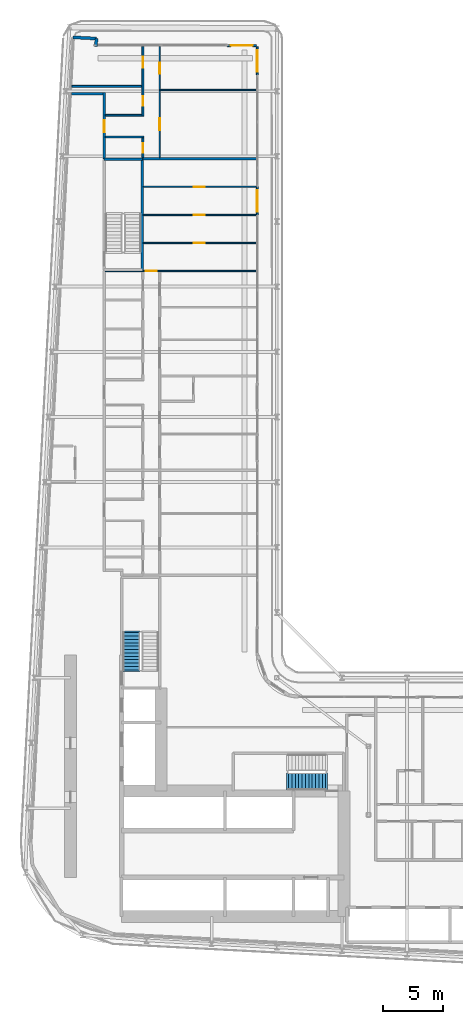
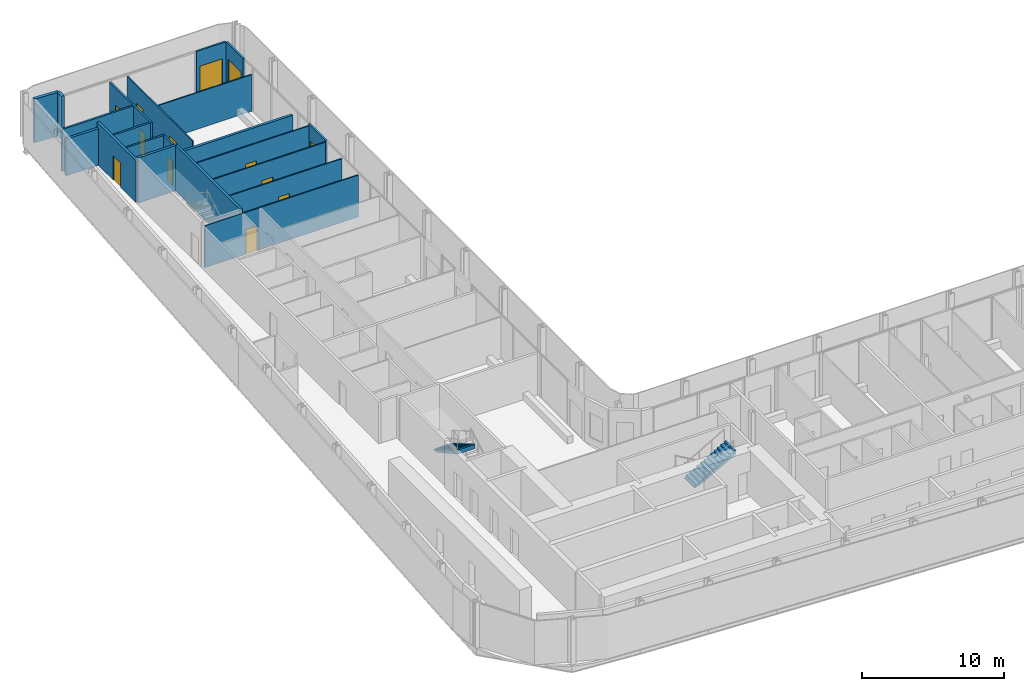
# One storey, part 16 of 24: 21 walls, 13 doors, 2 stair flights, 13 openings, 2 elements without a shape of their own.
"""IFC4 building model written with IfcOpenShell, lengths in metres."""

from ifc_helpers import new_model, si_unit, direction, frame, frame_2d, origin, place, context, subcontext, project, spatial, polyline, rectangle, outline, extrude, source, transform, mapped, material, layer, layer_set, type_object, element, fill, aggregate, save


model = new_model("IFC4")

# Units and contexts
model_context = context("Model", 3, precision=1e-05, world=origin(), true_north=direction((0.0, 1.0)))
body_context = subcontext(model_context, "Body", "Model", "MODEL_VIEW")
ifc_project = project(units=[si_unit("LENGTHUNIT", "METRE"), si_unit("AREAUNIT", "SQUARE_METRE"), si_unit("VOLUMEUNIT", "CUBIC_METRE"), si_unit("PLANEANGLEUNIT", "RADIAN"), si_unit("MASSUNIT", "GRAM", prefix="KILO")], contexts=[model_context])

# Site, building, storey
site_placement = place(None, origin())
site = spatial("IfcSite", under=ifc_project, at=site_placement, CompositionType="ELEMENT")
building_placement = place(site_placement, origin())
building = spatial("IfcBuilding", under=site, at=building_placement, Name="Kheshtan School and Residences Tower", CompositionType="ELEMENT")
storey_placement = place(building_placement, frame((0.0, 0.0, 38.300048828125)))
storey = spatial("IfcBuildingStorey", under=building, at=storey_placement, Name="L08", CompositionType="ELEMENT", Elevation=38.300048828125)

# Wall
ifc_material_1 = material(Name="Gypsum board on steel studs with fire boards", Category="steel")
ifc_layer_1 = layer(ifc_material_1, 0.199951171875)
ifc_layer_set_1 = layer_set([ifc_layer_1], Name="Corridor wall 200")
wall_type_1 = type_object("IfcWallType", Name="Corridor wall 200", PredefinedType="PARTITIONING", material=ifc_layer_set_1)
wall_1_placement = place(storey_placement, frame((30.584716796875, 94.0, 0.0), z_axis=(0.0, 0.0, 1.0), x_axis=(1.0, 0.0, 0.0)))
element("IfcWall", 1, at=wall_1_placement, inside=storey, type_object=wall_type_1, Name="Partition L08-002", PredefinedType="PARTITIONING", context=body_context, shape_type="SweptSolid", body=[
    extrude(rectangle(XDim=2.615234375, YDim=0.199951171875, at=frame_2d((1.3076171875, 0.0))), origin(), (0.0, 0.0, 1.0), 3.14697265625),
])

# Wall, opening, door
wall_2_placement = place(storey_placement, frame((33.300048828125, 88.60009765625, 0.0), z_axis=(0.0, 0.0, 1.0), x_axis=(0.0, 1.0, 0.0)))
wall_2 = element("IfcWall", 2, at=wall_2_placement, inside=storey, type_object=wall_type_1, Name="Partition L08-004", PredefinedType="PARTITIONING", context=body_context, shape_type="SweptSolid", body=[
    extrude(rectangle(XDim=5.5, YDim=0.199951171875, at=frame_2d((2.75, 0.0))), origin(), (0.0, 0.0, 1.0), 3.599853515625),
])
opening_1_placement = place(wall_2_placement, frame((2.199951171875, 0.0, 0.0)))
opening_1 = element("IfcOpeningElement", 3, at=opening_1_placement, cuts=wall_2, Name="Opening D08-052", PredefinedType="OPENING", context=body_context, shape_type="SweptSolid", body=[
    extrude(rectangle(XDim=1.0, YDim=2.10009765625, at=frame_2d((0.5, 1.050048828125))), frame((0.0, 0.10986328125, 0.0), z_axis=(0.0, -1.0, 0.0), x_axis=(1.0, 0.0, 0.0)), (0.0, 0.0, 1.0), 0.219970703125),
])
ifc_material_2 = material(Name="Steel-framed fire-resisting door leaf", Category="steel")
door_type_1 = type_object("IfcDoorType", Name="Fire door FD30S 1000 x 2100", OperationType="SINGLE_SWING_LEFT", PredefinedType="DOOR", material=ifc_material_2)
shared_shape_1 = source(origin(), body_context, "Body", "SweptSolid", [
    extrude(rectangle(XDim=1.0, YDim=2.10009765625, at=frame_2d((0.5, 1.050048828125))), frame((0.0, 0.02490234375, 0.0), z_axis=(0.0, -1.0, 0.0), x_axis=(1.0, 0.0, 0.0)), (0.0, 0.0, 1.0), 0.050048828125),
])
door_1_placement = place(opening_1_placement, origin())
door_1 = element("IfcDoor", 4, at=door_1_placement, inside=storey, type_object=door_type_1, Name="Door D08-052", OperationType="SINGLE_SWING_LEFT", OverallHeight=2.10009765625, OverallWidth=1.0, PredefinedType="DOOR", context=body_context, shape_type="MappedRepresentation", body=[
    mapped(shared_shape_1, transform((0.0, 0.0, 0.0), x_axis=(1.0, 0.0, 0.0), y_axis=(0.0, 1.0, 0.0), z_axis=(0.0, 0.0, 1.0), scale=1.0)),
])
fill(opening_1, door_1)

# Walls
ifc_material_3 = material(Name="Concrete C40/50 with ceramic cladding and mineral wool insulation", Category="concrete")
ifc_layer_2 = layer(ifc_material_3, 0.25)
ifc_layer_set_2 = layer_set([ifc_layer_2], Name="External wall 250 ceramic clad")
wall_type_2 = type_object("IfcWallType", Name="External wall 250 ceramic clad", PredefinedType="SOLIDWALL", material=ifc_layer_set_2)
wall_3_placement = place(storey_placement, frame((30.705078125, 98.6640625, 0.0), z_axis=(0.0, 0.0, 1.0), x_axis=(0.998577785791, -0.053314216913, 0.0)))
element("IfcWall", 5, at=wall_3_placement, inside=storey, type_object=wall_type_2, Name="External wall L08 5", PredefinedType="SOLIDWALL", context=body_context, shape_type="SweptSolid", body=[
    extrude(rectangle(XDim=1.95068359375, YDim=0.25, at=frame_2d((0.975341796875, 0.0))), origin(), (0.0, 0.0, 1.0), 3.75),
])
wall_4_placement = place(storey_placement, frame((32.653076171875, 98.56005859375, 0.0), z_axis=(0.0, 0.0, 1.0), x_axis=(-0.054093451632, -0.998535877418, 0.0)))
element("IfcWall", 6, at=wall_4_placement, inside=storey, type_object=wall_type_2, Name="External wall L08 6", PredefinedType="SOLIDWALL", context=body_context, shape_type="SweptSolid", body=[
    extrude(rectangle(XDim=0.66796875, YDim=0.25, at=frame_2d((0.333984375, 0.0))), origin(), (0.0, 0.0, 1.0), 3.75),
])

# Wall, opening, door
ifc_material_4 = material(Name="Aluminium frame wall with insulated infill", Category="aluminium")
ifc_layer_3 = layer(ifc_material_4, 0.14990234375)
ifc_layer_set_3 = layer_set([ifc_layer_3], Name="Glazing frame wall 150")
wall_type_3 = type_object("IfcWallType", Name="Glazing frame wall 150", PredefinedType="SOLIDWALL", material=ifc_layer_set_3)
wall_5_placement = place(storey_placement, frame((43.5, 97.97509765625, 0.0), z_axis=(0.0, 0.0, 1.0), x_axis=(1.0, 0.0, 0.0)))
wall_5 = element("IfcWall", 7, at=wall_5_placement, inside=storey, type_object=wall_type_3, Name="Balcony door wall L08 7.1", PredefinedType="SOLIDWALL", context=body_context, shape_type="SweptSolid", body=[
    extrude(rectangle(XDim=2.39990234375, YDim=0.14990234375, at=frame_2d((1.199951171875, 0.0))), origin(), (0.0, 0.0, 1.0), 3.75),
])
opening_2_placement = place(wall_5_placement, frame((0.300048828125, 0.0, 0.0)))
opening_2 = element("IfcOpeningElement", 8, at=opening_2_placement, cuts=wall_5, Name="Opening BD", PredefinedType="OPENING", context=body_context, shape_type="SweptSolid", body=[
    extrude(rectangle(XDim=1.800048828125, YDim=2.39990234375, at=frame_2d((0.89990234375, 1.199951171875))), frame((0.0, 0.0849609375, 0.0), z_axis=(0.0, -1.0, 0.0), x_axis=(1.0, 0.0, 0.0)), (0.0, 0.0, 1.0), 0.169921875),
])
ifc_material_5 = material(Name="Clear low-e glass in thermally broken aluminium frame", Category="aluminium")
door_type_2 = type_object("IfcDoorType", Name="Balcony sliding door", OperationType="SLIDING_TO_LEFT", PredefinedType="DOOR", material=ifc_material_5)
shared_shape_2 = source(origin(), body_context, "Body", "SweptSolid", [
    extrude(rectangle(XDim=1.800048828125, YDim=2.39990234375, at=frame_2d((0.89990234375, 1.199951171875))), frame((0.0, 0.02490234375, 0.0), z_axis=(0.0, -1.0, 0.0), x_axis=(1.0, 0.0, 0.0)), (0.0, 0.0, 1.0), 0.050048828125),
])
door_2_placement = place(opening_2_placement, origin())
door_2 = element("IfcDoor", 9, at=door_2_placement, inside=storey, type_object=door_type_2, Name="Balcony door L08 7.1", OperationType="SLIDING_TO_LEFT", OverallHeight=2.39990234375, OverallWidth=1.800048828125, PredefinedType="DOOR", context=body_context, shape_type="MappedRepresentation", body=[
    mapped(shared_shape_2, transform((0.0, 0.0, 0.0), x_axis=(1.0, 0.0, 0.0), y_axis=(0.0, 1.0, 0.0), z_axis=(0.0, 0.0, 1.0), scale=1.0)),
])
fill(opening_2, door_2)

wall_6_placement = place(storey_placement, frame((45.97509765625, 97.89990234375, 0.0), z_axis=(0.0, 0.0, 1.0), x_axis=(0.0, -1.0, 0.0)))
wall_6 = element("IfcWall", 10, at=wall_6_placement, inside=storey, type_object=wall_type_3, Name="Balcony door wall L08 8.1", PredefinedType="SOLIDWALL", context=body_context, shape_type="SweptSolid", body=[
    extrude(rectangle(XDim=2.39990234375, YDim=0.14990234375, at=frame_2d((1.199951171875, 0.0))), origin(), (0.0, 0.0, 1.0), 3.75),
])
opening_3_placement = place(wall_6_placement, frame((0.300048828125, 0.0, 0.0)))
opening_3 = element("IfcOpeningElement", 11, at=opening_3_placement, cuts=wall_6, Name="Opening BD", PredefinedType="OPENING", context=body_context, shape_type="SweptSolid", body=[
    extrude(rectangle(XDim=1.800048828125, YDim=2.39990234375, at=frame_2d((0.89990234375, 1.199951171875))), frame((0.0, 0.0849609375, 0.0), z_axis=(0.0, -1.0, 0.0), x_axis=(1.0, 0.0, 0.0)), (0.0, 0.0, 1.0), 0.169921875),
])
door_3_placement = place(opening_3_placement, origin())
door_3 = element("IfcDoor", 12, at=door_3_placement, inside=storey, type_object=door_type_2, Name="Balcony door L08 8.1", OperationType="SLIDING_TO_LEFT", OverallHeight=2.39990234375, OverallWidth=1.800048828125, PredefinedType="DOOR", context=body_context, shape_type="MappedRepresentation", body=[
    mapped(shared_shape_2, transform((0.0, 0.0, 0.0), x_axis=(1.0, 0.0, 0.0), y_axis=(0.0, 1.0, 0.0), z_axis=(0.0, 0.0, 1.0), scale=1.0)),
])
fill(opening_3, door_3)

wall_7_placement = place(storey_placement, frame((45.97509765625, 86.305908203125, 0.0), z_axis=(0.0, 0.0, 1.0), x_axis=(0.0, -1.0, 0.0)))
wall_7 = element("IfcWall", 13, at=wall_7_placement, inside=storey, type_object=wall_type_3, Name="Balcony door wall L08 8.2", PredefinedType="SOLIDWALL", context=body_context, shape_type="SweptSolid", body=[
    extrude(rectangle(XDim=2.39990234375, YDim=0.14990234375, at=frame_2d((1.199951171875, 0.0))), origin(), (0.0, 0.0, 1.0), 3.75),
])
opening_4_placement = place(wall_7_placement, frame((0.300048828125, 0.0, 0.0)))
opening_4 = element("IfcOpeningElement", 14, at=opening_4_placement, cuts=wall_7, Name="Opening BD", PredefinedType="OPENING", context=body_context, shape_type="SweptSolid", body=[
    extrude(rectangle(XDim=1.800048828125, YDim=2.39990234375, at=frame_2d((0.89990234375, 1.199951171875))), frame((0.0, 0.0849609375, 0.0), z_axis=(0.0, -1.0, 0.0), x_axis=(1.0, 0.0, 0.0)), (0.0, 0.0, 1.0), 0.169921875),
])
door_4_placement = place(opening_4_placement, origin())
door_4 = element("IfcDoor", 15, at=door_4_placement, inside=storey, type_object=door_type_2, Name="Balcony door L08 8.2", OperationType="SLIDING_TO_LEFT", OverallHeight=2.39990234375, OverallWidth=1.800048828125, PredefinedType="DOOR", context=body_context, shape_type="MappedRepresentation", body=[
    mapped(shared_shape_2, transform((0.0, 0.0, 0.0), x_axis=(1.0, 0.0, 0.0), y_axis=(0.0, 1.0, 0.0), z_axis=(0.0, 0.0, 1.0), scale=1.0)),
])
fill(opening_4, door_4)

ifc_material_6 = material(Name="Gypsum board on steel studs", Category="steel")
ifc_layer_4 = layer(ifc_material_6, 0.10009765625)
ifc_layer_set_4 = layer_set([ifc_layer_4], Name="Gypsum partition 100")
wall_type_4 = type_object("IfcWallType", Name="Gypsum partition 100", PredefinedType="PARTITIONING", material=ifc_layer_set_4)
wall_8_placement = place(storey_placement, frame((33.39990234375, 79.300048828125, 0.0), z_axis=(0.0, 0.0, 1.0), x_axis=(1.0, 0.0, 0.0)))
wall_8 = element("IfcWall", 16, at=wall_8_placement, inside=storey, type_object=wall_type_4, Name="Partition L08-016", PredefinedType="PARTITIONING", context=body_context, shape_type="SweptSolid", body=[
    extrude(rectangle(XDim=12.5, YDim=0.10009765625, at=frame_2d((6.25, 0.0))), origin(), (0.0, 0.0, 1.0), 3.599853515625),
])
opening_5_placement = place(wall_8_placement, frame((3.35498046875, 0.0, 0.0)))
opening_5 = element("IfcOpeningElement", 17, at=opening_5_placement, cuts=wall_8, Name="Opening D08-046", PredefinedType="OPENING", context=body_context, shape_type="SweptSolid", body=[
    extrude(rectangle(XDim=0.89990234375, YDim=2.10009765625, at=frame_2d((0.449951171875, 1.050048828125))), frame((0.0, 0.06005859375, 0.0), z_axis=(0.0, -1.0, 0.0), x_axis=(1.0, 0.0, 0.0)), (0.0, 0.0, 1.0), 0.1201171875),
])
ifc_material_7 = material(Name="Veneered timber door leaf", Category="wood")
door_type_3 = type_object("IfcDoorType", Name="Door 900 x 2100", OperationType="SINGLE_SWING_LEFT", PredefinedType="DOOR", material=ifc_material_7)
shared_shape_3 = source(origin(), body_context, "Body", "SweptSolid", [
    extrude(rectangle(XDim=0.89990234375, YDim=2.10009765625, at=frame_2d((0.449951171875, 1.050048828125))), frame((0.0, 0.02490234375, 0.0), z_axis=(0.0, -1.0, 0.0), x_axis=(1.0, 0.0, 0.0)), (0.0, 0.0, 1.0), 0.050048828125),
])
door_5_placement = place(opening_5_placement, origin())
door_5 = element("IfcDoor", 18, at=door_5_placement, inside=storey, type_object=door_type_3, Name="Door D08-046", OperationType="SINGLE_SWING_LEFT", OverallHeight=2.10009765625, OverallWidth=0.89990234375, PredefinedType="DOOR", context=body_context, shape_type="MappedRepresentation", body=[
    mapped(shared_shape_3, transform((0.0, 0.0, 0.0), x_axis=(1.0, 0.0, 0.0), y_axis=(0.0, 1.0, 0.0), z_axis=(0.0, 0.0, 1.0), scale=1.0)),
])
fill(opening_5, door_5)

wall_9_placement = place(storey_placement, frame((36.549072265625, 81.625, 0.0), z_axis=(0.0, 0.0, 1.0), x_axis=(1.0, 0.0, 0.0)))
wall_9 = element("IfcWall", 19, at=wall_9_placement, inside=storey, type_object=wall_type_4, Name="Partition L08-029", PredefinedType="PARTITIONING", context=body_context, shape_type="SweptSolid", body=[
    extrude(rectangle(XDim=9.350830078125, YDim=0.10009765625, at=frame_2d((4.67529296875, 0.0))), origin(), (0.0, 0.0, 1.0), 3.599853515625),
])
opening_6_placement = place(wall_9_placement, frame((4.176025390625, 0.0, 0.0)))
opening_6 = element("IfcOpeningElement", 20, at=opening_6_placement, cuts=wall_9, Name="Opening D08-047", PredefinedType="OPENING", context=body_context, shape_type="SweptSolid", body=[
    extrude(rectangle(XDim=0.89990234375, YDim=2.10009765625, at=frame_2d((0.449951171875, 1.050048828125))), frame((0.0, 0.06005859375, 0.0), z_axis=(0.0, -1.0, 0.0), x_axis=(1.0, 0.0, 0.0)), (0.0, 0.0, 1.0), 0.1201171875),
])
door_6_placement = place(opening_6_placement, origin())
door_6 = element("IfcDoor", 21, at=door_6_placement, inside=storey, type_object=door_type_3, Name="Door D08-047", OperationType="SINGLE_SWING_RIGHT", OverallHeight=2.10009765625, OverallWidth=0.89990234375, PredefinedType="DOOR", context=body_context, shape_type="MappedRepresentation", body=[
    mapped(shared_shape_3, transform((0.0, 0.0, 0.0), x_axis=(1.0, 0.0, 0.0), y_axis=(0.0, 1.0, 0.0), z_axis=(0.0, 0.0, 1.0), scale=1.0)),
])
fill(opening_6, door_6)

wall_10_placement = place(storey_placement, frame((36.549072265625, 83.949951171875, 0.0), z_axis=(0.0, 0.0, 1.0), x_axis=(1.0, 0.0, 0.0)))
wall_10 = element("IfcWall", 22, at=wall_10_placement, inside=storey, type_object=wall_type_4, Name="Partition L08-030", PredefinedType="PARTITIONING", context=body_context, shape_type="SweptSolid", body=[
    extrude(rectangle(XDim=9.350830078125, YDim=0.10009765625, at=frame_2d((4.67529296875, 0.0))), origin(), (0.0, 0.0, 1.0), 3.599853515625),
])
opening_7_placement = place(wall_10_placement, frame((4.176025390625, 0.0, 0.0)))
opening_7 = element("IfcOpeningElement", 23, at=opening_7_placement, cuts=wall_10, Name="Opening D08-048", PredefinedType="OPENING", context=body_context, shape_type="SweptSolid", body=[
    extrude(rectangle(XDim=0.89990234375, YDim=2.10009765625, at=frame_2d((0.449951171875, 1.050048828125))), frame((0.0, 0.06005859375, 0.0), z_axis=(0.0, -1.0, 0.0), x_axis=(1.0, 0.0, 0.0)), (0.0, 0.0, 1.0), 0.1201171875),
])
door_7_placement = place(opening_7_placement, origin())
door_7 = element("IfcDoor", 24, at=door_7_placement, inside=storey, type_object=door_type_3, Name="Door D08-048", OperationType="SINGLE_SWING_RIGHT", OverallHeight=2.10009765625, OverallWidth=0.89990234375, PredefinedType="DOOR", context=body_context, shape_type="MappedRepresentation", body=[
    mapped(shared_shape_3, transform((0.0, 0.0, 0.0), x_axis=(1.0, 0.0, 0.0), y_axis=(0.0, 1.0, 0.0), z_axis=(0.0, 0.0, 1.0), scale=1.0)),
])
fill(opening_7, door_7)

wall_11_placement = place(storey_placement, frame((36.549072265625, 86.27490234375, 0.0), z_axis=(0.0, 0.0, 1.0), x_axis=(1.0, 0.0, 0.0)))
wall_11 = element("IfcWall", 25, at=wall_11_placement, inside=storey, type_object=wall_type_4, Name="Partition L08-031", PredefinedType="PARTITIONING", context=body_context, shape_type="SweptSolid", body=[
    extrude(rectangle(XDim=9.350830078125, YDim=0.10009765625, at=frame_2d((4.67529296875, 0.0))), origin(), (0.0, 0.0, 1.0), 3.599853515625),
])
opening_8_placement = place(wall_11_placement, frame((4.176025390625, 0.0, 0.0)))
opening_8 = element("IfcOpeningElement", 26, at=opening_8_placement, cuts=wall_11, Name="Opening D08-049", PredefinedType="OPENING", context=body_context, shape_type="SweptSolid", body=[
    extrude(rectangle(XDim=0.89990234375, YDim=2.10009765625, at=frame_2d((0.449951171875, 1.050048828125))), frame((0.0, 0.06005859375, 0.0), z_axis=(0.0, -1.0, 0.0), x_axis=(1.0, 0.0, 0.0)), (0.0, 0.0, 1.0), 0.1201171875),
])
door_8_placement = place(opening_8_placement, origin())
door_8 = element("IfcDoor", 27, at=door_8_placement, inside=storey, type_object=door_type_3, Name="Door D08-049", OperationType="SINGLE_SWING_RIGHT", OverallHeight=2.10009765625, OverallWidth=0.89990234375, PredefinedType="DOOR", context=body_context, shape_type="MappedRepresentation", body=[
    mapped(shared_shape_3, transform((0.0, 0.0, 0.0), x_axis=(1.0, 0.0, 0.0), y_axis=(0.0, 1.0, 0.0), z_axis=(0.0, 0.0, 1.0), scale=1.0)),
])
fill(opening_8, door_8)

# Wall, openings, doors
wall_12_placement = place(storey_placement, frame((37.89990234375, 88.699951171875, 0.0), z_axis=(0.0, 0.0, 1.0), x_axis=(0.0, 1.0, 0.0)))
wall_12 = element("IfcWall", 28, at=wall_12_placement, inside=storey, type_object=wall_type_4, Name="Partition L08-034", PredefinedType="PARTITIONING", context=body_context, shape_type="SweptSolid", body=[
    extrude(rectangle(XDim=9.199951171875, YDim=0.10009765625, at=frame_2d((4.60009765625, 0.0))), origin(), (0.0, 0.0, 1.0), 3.599853515625),
])
opening_9_placement = place(wall_12_placement, frame((6.949951171875, 0.0, 0.0)))
opening_9 = element("IfcOpeningElement", 29, at=opening_9_placement, cuts=wall_12, Name="Opening D08-051", PredefinedType="OPENING", context=body_context, shape_type="SweptSolid", body=[
    extrude(rectangle(XDim=0.89990234375, YDim=2.10009765625, at=frame_2d((0.449951171875, 1.050048828125))), frame((0.0, 0.06005859375, 0.0), z_axis=(0.0, -1.0, 0.0), x_axis=(1.0, 0.0, 0.0)), (0.0, 0.0, 1.0), 0.1201171875),
])
opening_10_placement = place(wall_12_placement, frame((2.25, 0.0, 0.0)))
opening_10 = element("IfcOpeningElement", 30, at=opening_10_placement, cuts=wall_12, Name="Opening D08-054", PredefinedType="OPENING", context=body_context, shape_type="SweptSolid", body=[
    extrude(rectangle(XDim=1.0, YDim=2.10009765625, at=frame_2d((0.5, 1.050048828125))), frame((0.0, 0.06005859375, 0.0), z_axis=(0.0, -1.0, 0.0), x_axis=(1.0, 0.0, 0.0)), (0.0, 0.0, 1.0), 0.1201171875),
])
door_type_4 = type_object("IfcDoorType", Name="Door 1000 x 2100", OperationType="SINGLE_SWING_LEFT", PredefinedType="DOOR", material=ifc_material_7)
shared_shape_4 = source(origin(), body_context, "Body", "SweptSolid", [
    extrude(rectangle(XDim=1.0, YDim=2.10009765625, at=frame_2d((0.5, 1.050048828125))), frame((0.0, 0.02490234375, 0.0), z_axis=(0.0, -1.0, 0.0), x_axis=(1.0, 0.0, 0.0)), (0.0, 0.0, 1.0), 0.050048828125),
])
door_9_placement = place(opening_10_placement, origin())
door_9 = element("IfcDoor", 31, at=door_9_placement, inside=storey, type_object=door_type_4, Name="Door D08-054", OperationType="SINGLE_SWING_RIGHT", OverallHeight=2.10009765625, OverallWidth=1.0, PredefinedType="DOOR", context=body_context, shape_type="MappedRepresentation", body=[
    mapped(shared_shape_4, transform((0.0, 0.0, 0.0), x_axis=(1.0, 0.0, 0.0), y_axis=(0.0, 1.0, 0.0), z_axis=(0.0, 0.0, 1.0), scale=1.0)),
])
fill(opening_10, door_9)
door_10_placement = place(opening_9_placement, origin())
door_10 = element("IfcDoor", 32, at=door_10_placement, inside=storey, type_object=door_type_3, Name="Door D08-051", OperationType="SINGLE_SWING_RIGHT", OverallHeight=2.10009765625, OverallWidth=0.89990234375, PredefinedType="DOOR", context=body_context, shape_type="MappedRepresentation", body=[
    mapped(shared_shape_3, transform((0.0, 0.0, 0.0), x_axis=(1.0, 0.0, 0.0), y_axis=(0.0, 1.0, 0.0), z_axis=(0.0, 0.0, 1.0), scale=1.0)),
])
fill(opening_9, door_10)

# Walls
wall_13_placement = place(storey_placement, frame((37.949951171875, 94.300048828125, 0.0), z_axis=(0.0, 0.0, 1.0), x_axis=(1.0, 0.0, 0.0)))
element("IfcWall", 33, at=wall_13_placement, inside=storey, type_object=wall_type_4, Name="Partition L08-035", PredefinedType="PARTITIONING", context=body_context, shape_type="SweptSolid", body=[
    extrude(rectangle(XDim=7.949951171875, YDim=0.10009765625, at=frame_2d((3.97509765625, 0.0))), origin(), (0.0, 0.0, 1.0), 3.14697265625),
])
ifc_material_8 = material(Name="Concrete C40/50", Category="concrete")
ifc_layer_5 = layer(ifc_material_8, 0.199951171875)
ifc_layer_set_5 = layer_set([ifc_layer_5], Name="Stair enclosure wall 200 Concrete C40/50")
wall_type_5 = type_object("IfcWallType", Name="Stair enclosure wall 200 Concrete C40/50", PredefinedType="SHEAR", material=ifc_layer_set_5)
wall_14_placement = place(storey_placement, frame((33.300048828125, 88.56005859375, 0.0), z_axis=(0.0, 0.0, 1.0), x_axis=(1.0, 0.0, 0.0)))
element("IfcWall", 34, at=wall_14_placement, inside=storey, type_object=wall_type_5, Name="Stair enclosure wall ST3", PredefinedType="SHEAR", context=body_context, shape_type="SweptSolid", body=[
    extrude(rectangle(XDim=3.14990234375, YDim=0.199951171875, at=frame_2d((1.574951171875, 0.0))), origin(), (0.0, 0.0, 1.0), 3.89990234375),
])
wall_15_placement = place(storey_placement, frame((36.449951171875, 79.39990234375, 0.0), z_axis=(0.0, 0.0, 1.0), x_axis=(0.0, 1.0, 0.0)))
element("IfcWall", 35, at=wall_15_placement, inside=storey, type_object=wall_type_5, Name="Stair enclosure wall ST3", PredefinedType="SHEAR", context=body_context, shape_type="SweptSolid", body=[
    extrude(rectangle(XDim=9.16015625, YDim=0.199951171875, at=frame_2d((4.580078125, 0.0))), origin(), (0.0, 0.0, 1.0), 3.89990234375),
])
ifc_material_9 = material(Name="Twin gypsum board on steel studs with mineral wool", Category="steel")
ifc_layer_6 = layer(ifc_material_9, 0.199951171875)
ifc_layer_set_6 = layer_set([ifc_layer_6], Name="Unit demising wall 200")
wall_type_6 = type_object("IfcWallType", Name="Unit demising wall 200", PredefinedType="PARTITIONING", material=ifc_layer_set_6)
wall_16_placement = place(storey_placement, frame((36.425048828125, 88.60009765625, 0.0), z_axis=(0.0, 0.0, 1.0), x_axis=(1.0, 0.0, 0.0)))
element("IfcWall", 36, at=wall_16_placement, inside=storey, type_object=wall_type_6, Name="Partition L08-021", PredefinedType="PARTITIONING", context=body_context, shape_type="SweptSolid", body=[
    extrude(rectangle(XDim=9.474853515625, YDim=0.199951171875, at=frame_2d((4.7373046875, 0.0))), origin(), (0.0, 0.0, 1.0), 3.14697265625),
])
ifc_material_10 = material(Name="Moisture-resistant gypsum board on steel studs", Category="steel")
ifc_layer_7 = layer(ifc_material_10, 0.14990234375)
ifc_layer_set_7 = layer_set([ifc_layer_7], Name="Wet-room partition 150")
wall_type_7 = type_object("IfcWallType", Name="Wet-room partition 150", PredefinedType="PARTITIONING", material=ifc_layer_set_7)
wall_17_placement = place(storey_placement, frame((30.616943359375, 94.60009765625, 0.0), z_axis=(0.0, 0.0, 1.0), x_axis=(1.0, 0.0, 0.0)))
element("IfcWall", 37, at=wall_17_placement, inside=storey, type_object=wall_type_7, Name="Partition L08-001", PredefinedType="PARTITIONING", context=body_context, shape_type="SweptSolid", body=[
    extrude(rectangle(XDim=5.80810546875, YDim=0.14990234375, at=frame_2d((2.904052734375, 0.0))), origin(), (0.0, 0.0, 1.0), 3.599853515625),
])
wall_18_placement = place(storey_placement, frame((33.39990234375, 90.39990234375, 0.0), z_axis=(0.0, 0.0, 1.0), x_axis=(1.0, 0.0, 0.0)))
element("IfcWall", 38, at=wall_18_placement, inside=storey, type_object=wall_type_7, Name="Partition L08-017", PredefinedType="PARTITIONING", context=body_context, shape_type="SweptSolid", body=[
    extrude(rectangle(XDim=3.175048828125, YDim=0.14990234375, at=frame_2d((1.58740234375, 0.0))), origin(), (0.0, 0.0, 1.0), 3.599853515625),
])
wall_19_placement = place(storey_placement, frame((33.39990234375, 92.199951171875, 0.0), z_axis=(0.0, 0.0, 1.0), x_axis=(1.0, 0.0, 0.0)))
element("IfcWall", 39, at=wall_19_placement, inside=storey, type_object=wall_type_7, Name="Partition L08-018", PredefinedType="PARTITIONING", context=body_context, shape_type="SweptSolid", body=[
    extrude(rectangle(XDim=3.025146484375, YDim=0.14990234375, at=frame_2d((1.5126953125, 0.0))), origin(), (0.0, 0.0, 1.0), 3.599853515625),
])

# Wall, opening, door
wall_20_placement = place(storey_placement, frame((36.5, 88.699951171875, 0.0), z_axis=(0.0, 0.0, 1.0), x_axis=(0.0, 1.0, 0.0)))
wall_20 = element("IfcWall", 40, at=wall_20_placement, inside=storey, type_object=wall_type_7, Name="Partition L08-027", PredefinedType="PARTITIONING", context=body_context, shape_type="SweptSolid", body=[
    extrude(rectangle(XDim=1.625, YDim=0.14990234375, at=frame_2d((0.8125, 0.0))), origin(), (0.0, 0.0, 1.0), 3.599853515625),
])
opening_11_placement = place(wall_20_placement, frame((0.39990234375, 0.0, 0.0)))
opening_11 = element("IfcOpeningElement", 41, at=opening_11_placement, cuts=wall_20, Name="Opening D08-055", PredefinedType="OPENING", context=body_context, shape_type="SweptSolid", body=[
    extrude(rectangle(XDim=0.800048828125, YDim=2.10009765625, at=frame_2d((0.39990234375, 1.050048828125))), frame((0.0, 0.0849609375, 0.0), z_axis=(0.0, -1.0, 0.0), x_axis=(1.0, 0.0, 0.0)), (0.0, 0.0, 1.0), 0.169921875),
])
door_type_5 = type_object("IfcDoorType", Name="Door 800 x 2100", OperationType="SINGLE_SWING_LEFT", PredefinedType="DOOR", material=ifc_material_7)
shared_shape_5 = source(origin(), body_context, "Body", "SweptSolid", [
    extrude(rectangle(XDim=0.800048828125, YDim=2.10009765625, at=frame_2d((0.39990234375, 1.050048828125))), frame((0.0, 0.02490234375, 0.0), z_axis=(0.0, -1.0, 0.0), x_axis=(1.0, 0.0, 0.0)), (0.0, 0.0, 1.0), 0.050048828125),
])
door_11_placement = place(opening_11_placement, origin())
door_11 = element("IfcDoor", 42, at=door_11_placement, inside=storey, type_object=door_type_5, Name="Door D08-055", OperationType="SINGLE_SWING_RIGHT", OverallHeight=2.10009765625, OverallWidth=0.800048828125, PredefinedType="DOOR", context=body_context, shape_type="MappedRepresentation", body=[
    mapped(shared_shape_5, transform((0.0, 0.0, 0.0), x_axis=(1.0, 0.0, 0.0), y_axis=(0.0, 1.0, 0.0), z_axis=(0.0, 0.0, 1.0), scale=1.0)),
])
fill(opening_11, door_11)

# Wall, openings, doors
wall_21_placement = place(storey_placement, frame((36.5, 92.125, 0.0), z_axis=(0.0, 0.0, 1.0), x_axis=(0.0, 1.0, 0.0)))
wall_21 = element("IfcWall", 43, at=wall_21_placement, inside=storey, type_object=wall_type_7, Name="Partition L08-028", PredefinedType="PARTITIONING", context=body_context, shape_type="SweptSolid", body=[
    extrude(rectangle(XDim=5.77490234375, YDim=0.14990234375, at=frame_2d((2.887451171875, 0.0))), origin(), (0.0, 0.0, 1.0), 3.599853515625),
])
opening_12_placement = place(wall_21_placement, frame((0.875, 0.0, 0.0)))
opening_12 = element("IfcOpeningElement", 44, at=opening_12_placement, cuts=wall_21, Name="Opening D08-050", PredefinedType="OPENING", context=body_context, shape_type="SweptSolid", body=[
    extrude(rectangle(XDim=0.800048828125, YDim=2.10009765625, at=frame_2d((0.39990234375, 1.050048828125))), frame((0.0, 0.0849609375, 0.0), z_axis=(0.0, -1.0, 0.0), x_axis=(1.0, 0.0, 0.0)), (0.0, 0.0, 1.0), 0.169921875),
])
opening_13_placement = place(wall_21_placement, frame((4.02490234375, 0.0, 0.0)))
opening_13 = element("IfcOpeningElement", 45, at=opening_13_placement, cuts=wall_21, Name="Opening D08-053", PredefinedType="OPENING", context=body_context, shape_type="SweptSolid", body=[
    extrude(rectangle(XDim=0.89990234375, YDim=2.10009765625, at=frame_2d((0.449951171875, 1.050048828125))), frame((0.0, 0.0849609375, 0.0), z_axis=(0.0, -1.0, 0.0), x_axis=(1.0, 0.0, 0.0)), (0.0, 0.0, 1.0), 0.169921875),
])
door_12_placement = place(opening_12_placement, origin())
door_12 = element("IfcDoor", 46, at=door_12_placement, inside=storey, type_object=door_type_5, Name="Door D08-050", OperationType="SINGLE_SWING_LEFT", OverallHeight=2.10009765625, OverallWidth=0.800048828125, PredefinedType="DOOR", context=body_context, shape_type="MappedRepresentation", body=[
    mapped(shared_shape_5, transform((0.0, 0.0, 0.0), x_axis=(1.0, 0.0, 0.0), y_axis=(0.0, 1.0, 0.0), z_axis=(0.0, 0.0, 1.0), scale=1.0)),
])
fill(opening_12, door_12)
door_13_placement = place(opening_13_placement, origin())
door_13 = element("IfcDoor", 47, at=door_13_placement, inside=storey, type_object=door_type_3, Name="Door D08-053", OperationType="SINGLE_SWING_RIGHT", OverallHeight=2.10009765625, OverallWidth=0.89990234375, PredefinedType="DOOR", context=body_context, shape_type="MappedRepresentation", body=[
    mapped(shared_shape_3, transform((0.0, 0.0, 0.0), x_axis=(1.0, 0.0, 0.0), y_axis=(0.0, 1.0, 0.0), z_axis=(0.0, 0.0, 1.0), scale=1.0)),
])
fill(opening_13, door_13)

# Stair, stair flight
stair_type = type_object("IfcStairType", Name="Exit stair, half-turn", PredefinedType="HALF_TURN_STAIR", material=ifc_material_8)
stair_1_placement = place(storey_placement, origin())
stair_1 = element("IfcStair", 48, at=stair_1_placement, inside=storey, type_object=stair_type, Name="L08 Protected Exit Stair ST1", PredefinedType="HALF_TURN_STAIR")
ifc_layer_8 = layer(ifc_material_8, 0.14990234375)
ifc_layer_set_8 = layer_set([ifc_layer_8], Name="Stair flight 1400 Concrete C40/50")
stair_flight_type = type_object("IfcStairFlightType", Name="Stair flight 1400 Concrete C40/50", PredefinedType="STRAIGHT", material=ifc_layer_set_8)
stair_flight_1_placement = place(storey_placement, frame((48.570068359375, 37.0, 1.949951171875), z_axis=(0.0, 0.0, 1.0), x_axis=(1.0, 0.0, 0.0)))
stair_flight_1 = element("IfcStairFlight", 49, at=stair_flight_1_placement, type_object=stair_flight_type, Name="ST1 flight 2", NumberOfRisers=12, NumberOfTreads=11, PredefinedType="STRAIGHT", RiserHeight=0.1625, TreadLength=0.28, context=body_context, shape_type="SweptSolid", body=[
    extrude(outline(polyline([(-0.14990234375, -0.10009765625), (-0.14990234375, 0.0), (0.0, 0.0), (0.0, 0.16259765625), (0.280029296875, 0.16259765625), (0.280029296875, 0.324951171875), (0.56005859375, 0.324951171875), (0.56005859375, 0.487548828125), (0.840087890625, 0.487548828125), (0.840087890625, 0.64990234375), (1.1201171875, 0.64990234375), (1.1201171875, 0.8125), (1.39990234375, 0.8125), (1.39990234375, 0.97509765625), (1.679931640625, 0.97509765625), (1.679931640625, 1.137451171875), (1.9599609375, 1.137451171875), (1.9599609375, 1.300048828125), (2.239990234375, 1.300048828125), (2.239990234375, 1.46240234375), (2.52001953125, 1.46240234375), (2.52001953125, 1.625), (2.800048828125, 1.625), (2.800048828125, 1.78759765625), (3.080078125, 1.78759765625), (3.080078125, 1.949951171875), (3.080078125, 1.969970703125), (3.22998046875, 1.969970703125), (3.22998046875, 1.6142578125), (0.298583984375, 0.0), (-0.14990234375, -0.10009765625)])), frame((0.0, 0.699951171875, 0.0), z_axis=(0.0, -1.0, 0.0), x_axis=(1.0, 0.0, 0.0)), (0.0, 0.0, 1.0), 1.39990234375),
])
aggregate(stair_1, [stair_flight_1])

stair_2_placement = place(storey_placement, origin())
stair_2 = element("IfcStair", 50, at=stair_2_placement, inside=storey, type_object=stair_type, Name="L08 Protected Exit Stair ST2", PredefinedType="HALF_TURN_STAIR")
stair_flight_2_placement = place(storey_placement, frame((35.550048828125, 49.330078125, 1.949951171875), z_axis=(0.0, 0.0, 1.0), x_axis=(0.0, -1.0, 0.0)))
stair_flight_2 = element("IfcStairFlight", 51, at=stair_flight_2_placement, type_object=stair_flight_type, Name="ST2 flight 2", NumberOfRisers=12, NumberOfTreads=11, PredefinedType="STRAIGHT", RiserHeight=0.1625, TreadLength=0.28, context=body_context, shape_type="SweptSolid", body=[
    extrude(outline(polyline([(-0.14990234375, -0.10009765625), (-0.14990234375, 0.0), (0.0, 0.0), (0.0, 0.16259765625), (0.280029296875, 0.16259765625), (0.280029296875, 0.324951171875), (0.56005859375, 0.324951171875), (0.56005859375, 0.487548828125), (0.840087890625, 0.487548828125), (0.840087890625, 0.64990234375), (1.1201171875, 0.64990234375), (1.1201171875, 0.8125), (1.39990234375, 0.8125), (1.39990234375, 0.97509765625), (1.679931640625, 0.97509765625), (1.679931640625, 1.137451171875), (1.9599609375, 1.137451171875), (1.9599609375, 1.300048828125), (2.239990234375, 1.300048828125), (2.239990234375, 1.46240234375), (2.52001953125, 1.46240234375), (2.52001953125, 1.625), (2.800048828125, 1.625), (2.800048828125, 1.78759765625), (3.080078125, 1.78759765625), (3.080078125, 1.949951171875), (3.080078125, 1.969970703125), (3.22998046875, 1.969970703125), (3.22998046875, 1.6142578125), (0.298583984375, 0.0), (-0.14990234375, -0.10009765625)])), frame((0.0, 0.699951171875, 0.0), z_axis=(0.0, -1.0, 0.0), x_axis=(1.0, 0.0, 0.0)), (0.0, 0.0, 1.0), 1.39990234375),
])
aggregate(stair_2, [stair_flight_2])

save(model, "model.ifc")
